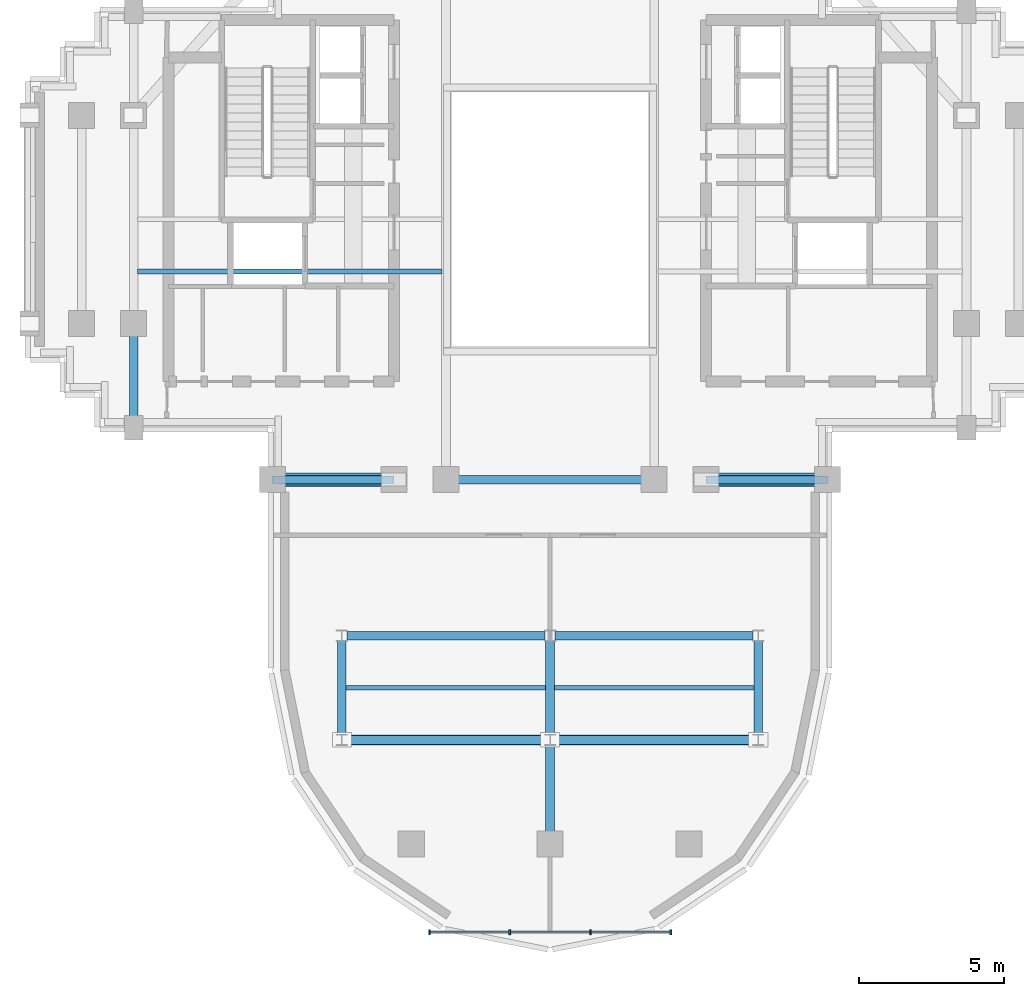
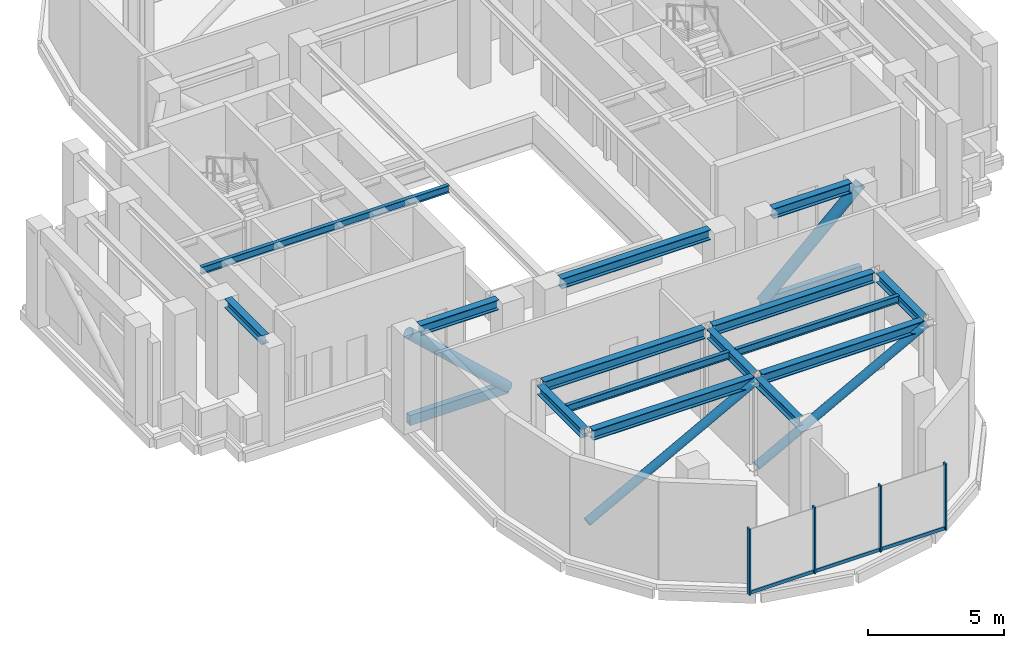
# One storey, part 2 of 11: 15 beams, 13 members, 1 element without a shape of its own.
"""IFC4 building model written with IfcOpenShell, lengths in metres."""

from ifc_helpers import new_model, si_unit, direction, frame, origin, origin_2d, place, context, subcontext, project, spatial, rectangle, hollow_rectangle, hollow_circle, i_section, extrude, source, transform, mapped, material, material_profile, profile_set, type_object, element, aggregate, save


model = new_model("IFC4")

# Units and contexts
model_context = context("Model", 3, precision=1e-05, world=origin(), true_north=direction((0.0, 1.0)))
body_context = subcontext(model_context, "Body", "Model", "MODEL_VIEW")
ifc_project = project(units=[si_unit("LENGTHUNIT", "METRE"), si_unit("AREAUNIT", "SQUARE_METRE"), si_unit("VOLUMEUNIT", "CUBIC_METRE"), si_unit("PLANEANGLEUNIT", "RADIAN"), si_unit("MASSUNIT", "GRAM", prefix="KILO")], contexts=[model_context])

# Site, building, storey
site_placement = place(None, origin())
site = spatial("IfcSite", under=ifc_project, at=site_placement, CompositionType="ELEMENT")
building_placement = place(site_placement, origin())
building = spatial("IfcBuilding", under=site, at=building_placement, Name="Keilestroom Media Tower", CompositionType="ELEMENT")
storey_placement = place(building_placement, frame((0.0, 0.0, 214.800048828125)))
storey = spatial("IfcBuildingStorey", under=building, at=storey_placement, Name="L59", CompositionType="ELEMENT", Elevation=214.800048828125)

# Beams
ifc_material_1 = material(Name="Steel S355", Category="steel")
ifc_material_profile_1 = material_profile(ifc_material_1, i_section(OverallWidth=0.300048828125, OverallDepth=0.449951171875, WebThickness=0.011962890625, FlangeThickness=0.02587890625, at=origin_2d()), Name="HEB 450")
ifc_profile_set_1 = profile_set([ifc_material_profile_1], Name="Steel S355")
beam_type_1 = type_object("IfcBeamType", Name="Primary-Structural-Girder-HEB-450", PredefinedType="BEAM", material=ifc_profile_set_1)
shared_shape_1 = source(origin(), body_context, "Body", "SweptSolid", [
    extrude(i_section(OverallWidth=0.300048828125, OverallDepth=0.449951171875, WebThickness=0.011962890625, FlangeThickness=0.02587890625, at=origin_2d()), origin(), (0.0, 0.0, 1.0), 6.842041015625),
])
for number, where, z_axis, x_axis, name in (
    (1, (-7.02099609375, -18.0, 4.18505859375), (1.0, 0.0, 0.0), (0.0, 1.0, 0.0), "L59 Beam BG-7 BM-L59-EW-001"),
    (2, (0.178955078125, -18.0, 4.18505859375), (1.0, 0.0, 0.0), (0.0, 1.0, 0.0), "L59 Beam BG-7 BM-L59-EW-002"),
    (3, (-7.02099609375, -14.39990234375, 4.18505859375), (1.0, 0.0, 0.0), (0.0, 1.0, 0.0), "L59 Beam BG-7 BM-L59-EW-003"),
    (4, (0.178955078125, -14.39990234375, 4.18505859375), (1.0, 0.0, 0.0), (0.0, 1.0, 0.0), "L59 Beam BG-7 BM-L59-EW-004"),
):
    element("IfcBeam", number, at=place(storey_placement, frame(where, z_axis=z_axis, x_axis=x_axis)), inside=storey, type_object=beam_type_1, Name=name, PredefinedType="BEAM", context=body_context, shape_type="MappedRepresentation", body=[
        mapped(shared_shape_1, transform((0.0, 0.0, 0.0), x_axis=(1.0, 0.0, 0.0), y_axis=(0.0, 1.0, 0.0), z_axis=(0.0, 0.0, 1.0), scale=1.0)),
    ])
shared_shape_2 = source(origin(), body_context, "Body", "SweptSolid", [
    extrude(i_section(OverallWidth=0.300048828125, OverallDepth=0.449951171875, WebThickness=0.011962890625, FlangeThickness=0.02587890625, at=origin_2d()), origin(), (0.0, 0.0, 1.0), 3.33984375),
])
for number, where, z_axis, x_axis, name in (
    (5, (-9.169921875, -9.0, 4.18505859375), (1.0, 0.0, 0.0), (0.0, 1.0, 0.0), "L59 Beam BG-7 BM-L59-EW-005"),
    (6, (5.830078125, -9.0, 4.18505859375), (1.0, 0.0, 0.0), (0.0, 1.0, 0.0), "L59 Beam BG-7 BM-L59-EW-009"),
):
    element("IfcBeam", number, at=place(storey_placement, frame(where, z_axis=z_axis, x_axis=x_axis)), inside=storey, type_object=beam_type_1, Name=name, PredefinedType="BEAM", context=body_context, shape_type="MappedRepresentation", body=[
        mapped(shared_shape_2, transform((0.0, 0.0, 0.0), x_axis=(1.0, 0.0, 0.0), y_axis=(0.0, 1.0, 0.0), z_axis=(0.0, 0.0, 1.0), scale=1.0)),
    ])
shared_shape_3 = source(origin(), body_context, "Body", "SweptSolid", [
    extrude(i_section(OverallWidth=0.300048828125, OverallDepth=0.449951171875, WebThickness=0.011962890625, FlangeThickness=0.02587890625, at=origin_2d()), origin(), (0.0, 0.0, 1.0), 6.33984375),
])
beam_1_placement = place(storey_placement, frame((-3.169921875, -9.0, 4.18505859375), z_axis=(1.0, 0.0, 0.0), x_axis=(0.0, 1.0, 0.0)))
element("IfcBeam", 7, at=beam_1_placement, inside=storey, type_object=beam_type_1, Name="L59 Beam BG-7 BM-L59-EW-007", PredefinedType="BEAM", context=body_context, shape_type="MappedRepresentation", body=[
    mapped(shared_shape_3, transform((0.0, 0.0, 0.0), x_axis=(1.0, 0.0, 0.0), y_axis=(0.0, 1.0, 0.0), z_axis=(0.0, 0.0, 1.0), scale=1.0)),
])
ifc_material_profile_2 = material_profile(ifc_material_1, i_section(OverallWidth=0.300048828125, OverallDepth=0.39990234375, WebThickness=0.011474609375, FlangeThickness=0.02392578125, at=origin_2d()), Name="HEB 400")
ifc_profile_set_2 = profile_set([ifc_material_profile_2], Name="Steel S355")
beam_type_2 = type_object("IfcBeamType", Name="Primary-Structural-Girder-HEB-400", PredefinedType="BEAM", material=ifc_profile_set_2)
shared_shape_4 = source(origin(), body_context, "Body", "SweptSolid", [
    extrude(i_section(OverallWidth=0.300048828125, OverallDepth=0.39990234375, WebThickness=0.011474609375, FlangeThickness=0.02392578125, at=origin_2d()), origin(), (0.0, 0.0, 1.0), 2.764892578125),
])
beam_2_placement = place(storey_placement, frame((-14.39990234375, -6.794921875, 4.2099609375), z_axis=(0.0, 1.0, 0.0), x_axis=(-1.0, 0.0, 0.0)))
element("IfcBeam", 8, at=beam_2_placement, inside=storey, type_object=beam_type_2, Name="L59 Beam BG-8 BM-L59-NS-029", PredefinedType="BEAM", context=body_context, shape_type="MappedRepresentation", body=[
    mapped(shared_shape_4, transform((0.0, 0.0, 0.0), x_axis=(1.0, 0.0, 0.0), y_axis=(0.0, 1.0, 0.0), z_axis=(0.0, 0.0, 1.0), scale=1.0)),
])
shared_shape_5 = source(origin(), body_context, "Body", "SweptSolid", [
    extrude(i_section(OverallWidth=0.300048828125, OverallDepth=0.39990234375, WebThickness=0.011474609375, FlangeThickness=0.02392578125, at=origin_2d()), origin(), (0.0, 0.0, 1.0), 3.2529296875),
])
for number, where, z_axis, x_axis, name in (
    (9, (-7.199951171875, -17.826416015625, 4.179931640625), (0.0, 1.0, 0.0), (-1.0, 0.0, 0.0), "L59 Beam BG-8 BM-L59-NS-033"),
    (10, (0.0, -17.826416015625, 4.179931640625), (0.0, 1.0, 0.0), (-1.0, 0.0, 0.0), "L59 Beam BG-8 BM-L59-NS-038"),
    (11, (7.199951171875, -17.826416015625, 4.179931640625), (0.0, 1.0, 0.0), (-1.0, 0.0, 0.0), "L59 Beam BG-8 BM-L59-NS-043"),
):
    element("IfcBeam", number, at=place(storey_placement, frame(where, z_axis=z_axis, x_axis=x_axis)), inside=storey, type_object=beam_type_2, Name=name, PredefinedType="BEAM", context=body_context, shape_type="MappedRepresentation", body=[
        mapped(shared_shape_5, transform((0.0, 0.0, 0.0), x_axis=(1.0, 0.0, 0.0), y_axis=(0.0, 1.0, 0.0), z_axis=(0.0, 0.0, 1.0), scale=1.0)),
    ])
shared_shape_6 = source(origin(), body_context, "Body", "SweptSolid", [
    extrude(i_section(OverallWidth=0.300048828125, OverallDepth=0.39990234375, WebThickness=0.011474609375, FlangeThickness=0.02392578125, at=origin_2d()), origin(), (0.0, 0.0, 1.0), 2.996337890625),
])
beam_3_placement = place(storey_placement, frame((0.0, -21.169921875, 4.179931640625), z_axis=(0.0, 1.0, 0.0), x_axis=(-1.0, 0.0, 0.0)))
element("IfcBeam", 12, at=beam_3_placement, inside=storey, type_object=beam_type_2, Name="L59 Beam BG-8 BM-L59-NS-037", PredefinedType="BEAM", context=body_context, shape_type="MappedRepresentation", body=[
    mapped(shared_shape_6, transform((0.0, 0.0, 0.0), x_axis=(1.0, 0.0, 0.0), y_axis=(0.0, 1.0, 0.0), z_axis=(0.0, 0.0, 1.0), scale=1.0)),
])
ifc_material_profile_3 = material_profile(ifc_material_1, i_section(OverallWidth=0.159912109375, OverallDepth=0.330078125, WebThickness=0.007568359375, FlangeThickness=0.011474609375, at=origin_2d()), Name="IPE 330")
ifc_profile_set_3 = profile_set([ifc_material_profile_3], Name="Steel S355")
beam_type_3 = type_object("IfcBeamType", Name="Secondary-Floor-Joist-IPE-330", PredefinedType="JOIST", material=ifc_profile_set_3)
shared_shape_7 = source(origin(), body_context, "Body", "SweptSolid", [
    extrude(i_section(OverallWidth=0.159912109375, OverallDepth=0.330078125, WebThickness=0.007568359375, FlangeThickness=0.011474609375, at=origin_2d()), origin(), (0.0, 0.0, 1.0), 6.940185546875),
])
for number, where, z_axis, x_axis, name in (
    (13, (-7.070068359375, -16.199951171875, 4.244873046875), (1.0, 0.0, 0.0), (0.0, 1.0, 0.0), "L59 Beam BJ-6 JST-L59-051"),
    (14, (0.1298828125, -16.199951171875, 4.244873046875), (1.0, 0.0, 0.0), (0.0, 1.0, 0.0), "L59 Beam BJ-6 JST-L59-052"),
):
    element("IfcBeam", number, at=place(storey_placement, frame(where, z_axis=z_axis, x_axis=x_axis)), inside=storey, type_object=beam_type_3, Name=name, PredefinedType="JOIST", context=body_context, shape_type="MappedRepresentation", body=[
        mapped(shared_shape_7, transform((0.0, 0.0, 0.0), x_axis=(1.0, 0.0, 0.0), y_axis=(0.0, 1.0, 0.0), z_axis=(0.0, 0.0, 1.0), scale=1.0)),
    ])
shared_shape_8 = source(origin(), body_context, "Body", "SweptSolid", [
    extrude(i_section(OverallWidth=0.159912109375, OverallDepth=0.330078125, WebThickness=0.007568359375, FlangeThickness=0.011474609375, at=origin_2d()), origin(), (0.0, 0.0, 1.0), 10.5400390625),
])
beam_4_placement = place(storey_placement, frame((-14.27001953125, -1.800048828125, 4.244873046875), z_axis=(1.0, 0.0, 0.0), x_axis=(0.0, 1.0, 0.0)))
element("IfcBeam", 15, at=beam_4_placement, inside=storey, type_object=beam_type_3, Name="L59 Beam BJ-6 JST-L59-053", PredefinedType="JOIST", context=body_context, shape_type="MappedRepresentation", body=[
    mapped(shared_shape_8, transform((0.0, 0.0, 0.0), x_axis=(1.0, 0.0, 0.0), y_axis=(0.0, 1.0, 0.0), z_axis=(0.0, 0.0, 1.0), scale=1.0)),
])

# Members
ifc_material_2 = material(Name="Steel S460", Category="steel")
ifc_material_profile_4 = material_profile(ifc_material_2, hollow_rectangle(XDim=0.25, YDim=0.449951171875, WallThickness=0.01611328125, at=origin_2d()), Name="RHS 450x250x16")
ifc_profile_set_4 = profile_set([ifc_material_profile_4], Name="Steel S460")
member_type_1 = type_object("IfcMemberType", Name="Transfer-And-Belt-Truss-Chord-RHS-450x250x16", PredefinedType="CHORD", material=ifc_profile_set_4)
shared_shape_9 = source(origin(), body_context, "Body", "SweptSolid", [
    extrude(hollow_rectangle(XDim=0.25, YDim=0.449951171875, WallThickness=0.01611328125, at=origin_2d()), origin(), (0.0, 0.0, 1.0), 4.2001953125),
])
for number, where, z_axis, x_axis, name in (
    (16, (-5.39990234375, -9.0, 0.280029296875), (-1.0, 0.0, 0.0), (0.0, -1.0, 0.0), "L59 Outrigger OT-L59-WS Chord 1"),
    (17, (5.39990234375, -9.0, 0.280029296875), (1.0, 0.0, 0.0), (0.0, 1.0, 0.0), "L59 Outrigger OT-L59-ES Chord 1"),
):
    element("IfcMember", number, at=place(storey_placement, frame(where, z_axis=z_axis, x_axis=x_axis)), inside=storey, type_object=member_type_1, Name=name, PredefinedType="CHORD", context=body_context, shape_type="MappedRepresentation", body=[
        mapped(shared_shape_9, transform((0.0, 0.0, 0.0), x_axis=(1.0, 0.0, 0.0), y_axis=(0.0, 1.0, 0.0), z_axis=(0.0, 0.0, 1.0), scale=1.0)),
    ])
ifc_material_profile_5 = material_profile(ifc_material_2, hollow_circle(Radius=0.228515625, WallThickness=0.01611328125, at=origin_2d()), Name="CHS 457x16")
ifc_profile_set_5 = profile_set([ifc_material_profile_5], Name="Steel S460")
member_type_2 = type_object("IfcMemberType", Name="Outrigger-And-Belt-Brace-CHS-457x16", PredefinedType="BRACE", material=ifc_profile_set_5)
shared_shape_10 = source(origin(), body_context, "Body", "SweptSolid", [
    extrude(hollow_circle(Radius=0.228515625, WallThickness=0.01611328125, at=origin_2d()), origin(), (0.0, 0.0, 1.0), 5.718017578125),
])
for number, where, z_axis, x_axis, name in (
    (18, (-5.39990234375, -9.0, 0.280029296875), (-0.734561129153, 0.0, 0.678542517118), (0.0, -1.0, 0.0), "L59 Outrigger OT-L59-WS Brace 1"),
    (19, (5.39990234375, -9.0, 0.280029296875), (0.734561129153, 0.0, 0.678542517118), (0.0, 1.0, 0.0), "L59 Outrigger OT-L59-ES Brace 1"),
):
    element("IfcMember", number, at=place(storey_placement, frame(where, z_axis=z_axis, x_axis=x_axis)), inside=storey, type_object=member_type_2, Name=name, PredefinedType="BRACE", context=body_context, shape_type="MappedRepresentation", body=[
        mapped(shared_shape_10, transform((0.0, 0.0, 0.0), x_axis=(1.0, 0.0, 0.0), y_axis=(0.0, 1.0, 0.0), z_axis=(0.0, 0.0, 1.0), scale=1.0)),
    ])
ifc_material_profile_6 = material_profile(ifc_material_2, hollow_circle(Radius=0.177734375, WallThickness=0.01416015625, at=origin_2d()), Name="CHS 355.6x14.2")
ifc_profile_set_6 = profile_set([ifc_material_profile_6], Name="Steel S460")
member_type_3 = type_object("IfcMemberType", Name="Outrigger-And-Belt-Brace-CHS-355x14", PredefinedType="BRACE", material=ifc_profile_set_6)
shared_shape_11 = source(origin(), body_context, "Body", "SweptSolid", [
    extrude(hollow_circle(Radius=0.177734375, WallThickness=0.01416015625, at=origin_2d()), origin(), (0.0, 0.0, 1.0), 8.1787109375),
])
for number, where, z_axis, x_axis, name in (
    (20, (-7.199951171875, -18.0, 0.280029296875), (0.88031865299, 0.0, 0.474382829789), (0.0, 1.0, 0.0), "L59 Belt Truss Brace BS1"),
    (21, (0.0, -18.0, 0.280029296875), (0.88031865299, 0.0, 0.474382829789), (0.0, 1.0, 0.0), "L59 Belt Truss Brace BS2"),
):
    element("IfcMember", number, at=place(storey_placement, frame(where, z_axis=z_axis, x_axis=x_axis)), inside=storey, type_object=member_type_3, Name=name, PredefinedType="BRACE", context=body_context, shape_type="MappedRepresentation", body=[
        mapped(shared_shape_11, transform((0.0, 0.0, 0.0), x_axis=(1.0, 0.0, 0.0), y_axis=(0.0, 1.0, 0.0), z_axis=(0.0, 0.0, 1.0), scale=1.0)),
    ])

# Curtain wall, members
ifc_material_3 = material(Name="Anodised Aluminium Alloy", Category="aluminium")
curtain_wall_type = type_object("IfcCurtainWallType", Name="Unitised-Curtain-Wall-CW-6", PredefinedType="NOTDEFINED", material=ifc_material_3)
curtain_wall_placement = place(storey_placement, origin())
curtain_wall = element("IfcCurtainWall", 22, at=curtain_wall_placement, inside=storey, type_object=curtain_wall_type, Name="L59 Curtain Wall CW-6 CW-L59-S", PredefinedType="NOTDEFINED")
ifc_material_profile_7 = material_profile(ifc_material_3, rectangle(XDim=0.06494140625, YDim=0.14990234375, at=origin_2d()), Name="ALU TRANSOM 65x150")
ifc_profile_set_7 = profile_set([ifc_material_profile_7], Name="Anodised Aluminium Alloy")
member_type_4 = type_object("IfcMemberType", Name="Curtain-Wall-Transom-CW-6", PredefinedType="USERDEFINED", material=ifc_profile_set_7)
shared_shape_12 = source(origin(), body_context, "Body", "SweptSolid", [
    extrude(rectangle(XDim=0.06494140625, YDim=0.14990234375, at=origin_2d()), origin(), (0.0, 0.0, 1.0), 2.70654296875),
])
member_1_placement = place(storey_placement, frame((-4.136962890625, -24.64990234375, 0.074951171875), z_axis=(1.0, 0.0, 0.0), x_axis=(0.0, 1.0, 0.0)))
member_1 = element("IfcMember", 23, at=member_1_placement, type_object=member_type_4, Name="CW-6 Transom 00.1", ObjectType="TRANSOM", PredefinedType="USERDEFINED", context=body_context, shape_type="MappedRepresentation", body=[
    mapped(shared_shape_12, transform((0.0, 0.0, 0.0), x_axis=(1.0, 0.0, 0.0), y_axis=(0.0, 1.0, 0.0), z_axis=(0.0, 0.0, 1.0), scale=1.0)),
])
member_2_placement = place(storey_placement, frame((1.430419921875, -24.64990234375, 0.074951171875), z_axis=(1.0, 0.0, 0.0), x_axis=(0.0, 1.0, 0.0)))
member_2 = element("IfcMember", 24, at=member_2_placement, type_object=member_type_4, Name="CW-6 Transom 02.1", ObjectType="TRANSOM", PredefinedType="USERDEFINED", context=body_context, shape_type="MappedRepresentation", body=[
    mapped(shared_shape_12, transform((0.0, 0.0, 0.0), x_axis=(1.0, 0.0, 0.0), y_axis=(0.0, 1.0, 0.0), z_axis=(0.0, 0.0, 1.0), scale=1.0)),
])
shared_shape_13 = source(origin(), body_context, "Body", "SweptSolid", [
    extrude(rectangle(XDim=0.06494140625, YDim=0.14990234375, at=origin_2d()), origin(), (0.0, 0.0, 1.0), 2.73876953125),
])
member_3_placement = place(storey_placement, frame((-1.369384765625, -24.64990234375, 0.074951171875), z_axis=(1.0, 0.0, 0.0), x_axis=(0.0, 1.0, 0.0)))
member_3 = element("IfcMember", 25, at=member_3_placement, type_object=member_type_4, Name="CW-6 Transom 01.1", ObjectType="TRANSOM", PredefinedType="USERDEFINED", context=body_context, shape_type="MappedRepresentation", body=[
    mapped(shared_shape_13, transform((0.0, 0.0, 0.0), x_axis=(1.0, 0.0, 0.0), y_axis=(0.0, 1.0, 0.0), z_axis=(0.0, 0.0, 1.0), scale=1.0)),
])
ifc_material_profile_8 = material_profile(ifc_material_3, rectangle(XDim=0.06494140625, YDim=0.179931640625, at=origin_2d()), Name="ALU MULLION 65x180")
ifc_profile_set_8 = profile_set([ifc_material_profile_8], Name="Anodised Aluminium Alloy")
member_type_5 = type_object("IfcMemberType", Name="Curtain-Wall-Mullion-CW-6", PredefinedType="MULLION", material=ifc_profile_set_8)
shared_shape_14 = source(origin(), body_context, "Body", "SweptSolid", [
    extrude(rectangle(XDim=0.06494140625, YDim=0.179931640625, at=origin_2d()), origin(), (0.0, 0.0, 1.0), 2.97998046875),
])
member_4_placement = place(storey_placement, frame((-4.16748046875, -24.64990234375, 0.0), z_axis=(0.0, 0.0, 1.0), x_axis=(1.0, 0.0, 0.0)))
member_4 = element("IfcMember", 26, at=member_4_placement, type_object=member_type_5, Name="CW-6 Mullion 00", PredefinedType="MULLION", context=body_context, shape_type="MappedRepresentation", body=[
    mapped(shared_shape_14, transform((0.0, 0.0, 0.0), x_axis=(1.0, 0.0, 0.0), y_axis=(0.0, 1.0, 0.0), z_axis=(0.0, 0.0, 1.0), scale=1.0)),
])
member_5_placement = place(storey_placement, frame((-1.39990234375, -24.64990234375, 0.0), z_axis=(0.0, 0.0, 1.0), x_axis=(1.0, 0.0, 0.0)))
member_5 = element("IfcMember", 27, at=member_5_placement, type_object=member_type_5, Name="CW-6 Mullion 01", PredefinedType="MULLION", context=body_context, shape_type="MappedRepresentation", body=[
    mapped(shared_shape_14, transform((0.0, 0.0, 0.0), x_axis=(1.0, 0.0, 0.0), y_axis=(0.0, 1.0, 0.0), z_axis=(0.0, 0.0, 1.0), scale=1.0)),
])
member_6_placement = place(storey_placement, frame((1.39990234375, -24.64990234375, 0.0), z_axis=(0.0, 0.0, 1.0), x_axis=(1.0, 0.0, 0.0)))
member_6 = element("IfcMember", 28, at=member_6_placement, type_object=member_type_5, Name="CW-6 Mullion 02", PredefinedType="MULLION", context=body_context, shape_type="MappedRepresentation", body=[
    mapped(shared_shape_14, transform((0.0, 0.0, 0.0), x_axis=(1.0, 0.0, 0.0), y_axis=(0.0, 1.0, 0.0), z_axis=(0.0, 0.0, 1.0), scale=1.0)),
])
member_7_placement = place(storey_placement, frame((4.16748046875, -24.64990234375, 0.0), z_axis=(0.0, 0.0, 1.0), x_axis=(1.0, 0.0, 0.0)))
member_7 = element("IfcMember", 29, at=member_7_placement, type_object=member_type_5, Name="CW-6 Mullion 03", PredefinedType="MULLION", context=body_context, shape_type="MappedRepresentation", body=[
    mapped(shared_shape_14, transform((0.0, 0.0, 0.0), x_axis=(1.0, 0.0, 0.0), y_axis=(0.0, 1.0, 0.0), z_axis=(0.0, 0.0, 1.0), scale=1.0)),
])
aggregate(curtain_wall, [member_4, member_5, member_6, member_7, member_1, member_3, member_2])

save(model, "model.ifc")
